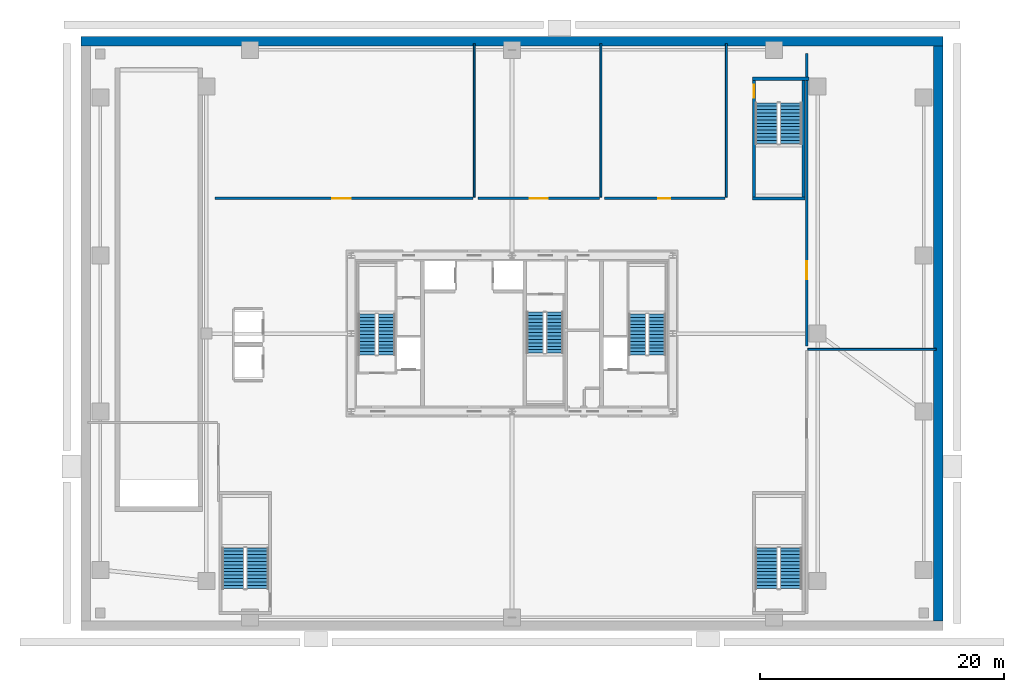
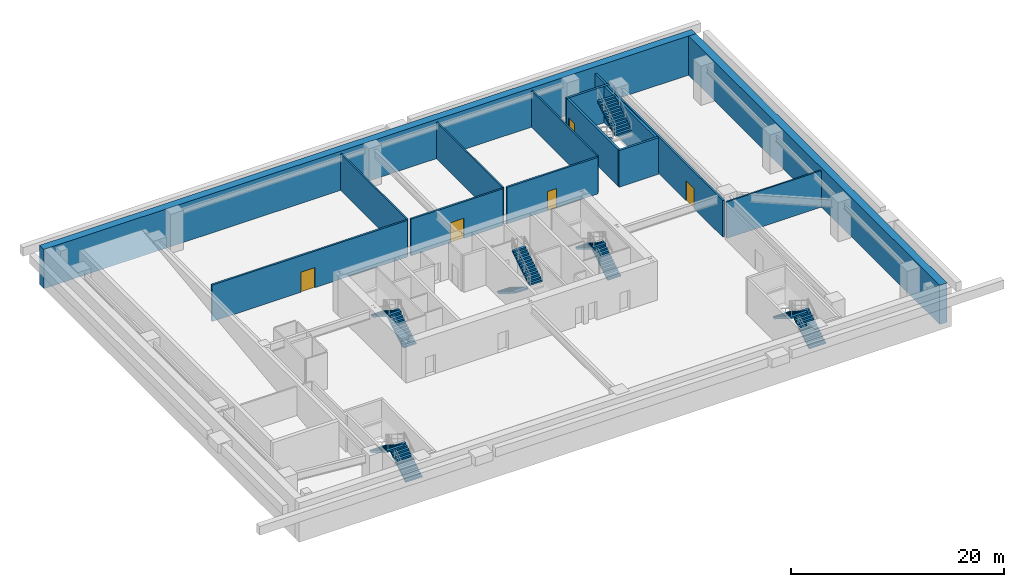
# One storey, part 6 of 9: 14 walls, 12 stair flights, 5 doors, 5 openings, 6 elements without a shape of their own.
"""IFC4 building model written with IfcOpenShell, lengths in metres."""

import ifcopenshell
import ifcopenshell.guid

model = None  # the IFC model being written
_history = None  # IfcOwnerHistory: only IFC2X3 demands one
_inside = {}  # id of a spatial element -> (the spatial element, [elements in it])
_under = {}  # id of a project, library or spatial element -> (it, [spatial elements below it])
_declared = {}  # id of a project -> (the project, [libraries it declares])
_typed = {}  # id of a type object -> (the type object, [elements of that type])
_made_of = {}  # id of a material, layer set ... -> (it, [elements and type objects made of it])


def new_model(schema):
    """Start an empty IFC model of exactly this schema.

    Asked for "IFC4X3", IfcOpenShell would pick the latest addendum, in which some entities
    have other attributes; the version numbers below select the first issue.
    IFC2X3 requires an IfcOwnerHistory on every rooted entity: one is made here for all.
    """
    global model, _history
    if schema == "IFC4X3":
        model = ifcopenshell.file(schema_version=(4, 3, 0, 0))
    else:
        model = ifcopenshell.file(schema=schema)
    _inside.clear()
    _under.clear()
    _declared.clear()
    _typed.clear()
    _made_of.clear()
    _history = None
    if model.schema == "IFC2X3":
        org = make("IfcOrganization", Name="unknown")
        user = make(
            "IfcPersonAndOrganization",
            ThePerson=make("IfcPerson", FamilyName="unknown"),
            TheOrganization=org,
        )
        app = make(
            "IfcApplication",
            ApplicationDeveloper=org,
            Version="unknown",
            ApplicationFullName="unknown",
            ApplicationIdentifier="unknown",
        )
        _history = make(
            "IfcOwnerHistory",
            OwningUser=user,
            OwningApplication=app,
            ChangeAction="ADDED",
            CreationDate=0,
        )
    return model


def make(cls, **values):
    """One entity of the class cls with the attributes given. An attribute that is None is left unset."""
    return model.create_entity(
        cls, **{name: value for name, value in values.items() if value is not None}
    )


def rooted(cls, **values):
    """An entity with a GlobalId (a new one), such as an element, a storey or a relation."""
    return make(cls, GlobalId=ifcopenshell.guid.new(), OwnerHistory=_history, **values)


def si_unit(unit_type, name, prefix=None):
    """IfcSIUnit, for example si_unit("LENGTHUNIT", "METRE", prefix="MILLI")."""
    return make("IfcSIUnit", UnitType=unit_type, Prefix=prefix, Name=name)


def assignment(units):
    """IfcUnitAssignment: the units of a project."""
    return None if units is None else make("IfcUnitAssignment", Units=units)


def point(xyz):
    """IfcCartesianPoint."""
    return None if xyz is None else make("IfcCartesianPoint", Coordinates=xyz)


def direction(xyz):
    """IfcDirection."""
    return None if xyz is None else make("IfcDirection", DirectionRatios=xyz)


def frame(location, z_axis=None, x_axis=None):
    """IfcAxis2Placement3D, a coordinate frame: its origin and axes. An axis left out is left unset."""
    return make(
        "IfcAxis2Placement3D",
        Location=point(location),
        Axis=direction(z_axis),
        RefDirection=direction(x_axis),
    )


def frame_2d(location, x_axis=None):
    """IfcAxis2Placement2D, a coordinate frame in the plane: its origin and x axis."""
    return make(
        "IfcAxis2Placement2D", Location=point(location), RefDirection=direction(x_axis)
    )


def origin():
    """The frame at (0, 0, 0) with its axes left unset."""
    return frame((0.0, 0.0, 0.0))


def place(relative_to, where):
    """IfcLocalPlacement: puts the frame where relative to a parent placement (None: the world)."""
    return make(
        "IfcLocalPlacement", PlacementRelTo=relative_to, RelativePlacement=where
    )


def context(
    kind, dimensions, precision=None, world=None, true_north=None, identifier=None
):
    """IfcGeometricRepresentationContext, for example the 3D "Model" context."""
    return make(
        "IfcGeometricRepresentationContext",
        ContextIdentifier=identifier,
        ContextType=kind,
        CoordinateSpaceDimension=dimensions,
        Precision=precision,
        WorldCoordinateSystem=world,
        TrueNorth=true_north,
    )


def subcontext(parent, identifier, kind, view, scale=None):
    """IfcGeometricRepresentationSubContext, for example "Body" below "Model"."""
    return make(
        "IfcGeometricRepresentationSubContext",
        ContextIdentifier=identifier,
        ContextType=kind,
        ParentContext=parent,
        TargetScale=scale,
        TargetView=view,
    )


def project(units=None, contexts=None):
    """IfcProject with its units and contexts."""
    return rooted(
        "IfcProject",
        Name="project",
        RepresentationContexts=contexts,
        UnitsInContext=assignment(units),
    )


def spatial(cls, under=None, at=None, **own):
    """A site, building, storey or space (cls), placed at a placement, below another one or the project."""
    s = rooted(cls, ObjectPlacement=at, **own)
    if under is not None:
        _under.setdefault(under.id(), (under, []))[1].append(s)
    return s


def polyline(points):
    """IfcPolyline through the points."""
    return make("IfcPolyline", Points=[point(p) for p in points])


def profile(cls, at=None, kind="AREA", **sizes):
    """A parametric profile (cls). Its sizes go by their IFC names, for example OverallWidth=200.0."""
    return make(cls, ProfileType=kind, Position=at, **sizes)


def rectangle(**sizes):
    """IfcRectangleProfileDef."""
    return profile("IfcRectangleProfileDef", **sizes)


def outline(outer, holes=None, kind="AREA"):
    """IfcArbitraryClosedProfileDef: a profile drawn as a closed curve; with holes, ...WithVoids."""
    if holes is None:
        return make("IfcArbitraryClosedProfileDef", ProfileType=kind, OuterCurve=outer)
    return make(
        "IfcArbitraryProfileDefWithVoids",
        ProfileType=kind,
        OuterCurve=outer,
        InnerCurves=holes,
    )


def extrude(swept, where, along, depth):
    """IfcExtrudedAreaSolid: the profile swept, set in the frame where, extruded along a direction by depth."""
    return make(
        "IfcExtrudedAreaSolid",
        SweptArea=swept,
        Position=where,
        ExtrudedDirection=direction(along),
        Depth=depth,
    )


def shape(context_of_items, identifier, shape_type, items):
    """IfcShapeRepresentation: the items that make up one representation, for example the "Body"."""
    return make(
        "IfcShapeRepresentation",
        ContextOfItems=context_of_items,
        RepresentationIdentifier=identifier,
        RepresentationType=shape_type,
        Items=items,
    )


def source(mapping_origin, context_of_items, identifier, shape_type, items):
    """IfcRepresentationMap: a shape defined once, which mapped items show again and again."""
    return make(
        "IfcRepresentationMap",
        MappingOrigin=mapping_origin,
        MappedRepresentation=shape(context_of_items, identifier, shape_type, items),
    )


def transform(
    local_origin,
    x_axis=None,
    y_axis=None,
    z_axis=None,
    scale=None,
    scale2=None,
    scale3=None,
    uniform=True,
):
    """IfcCartesianTransformationOperator3D, or its non-uniform kind. x_axis, y_axis, z_axis: its Axis1, 2, 3."""
    if uniform:
        return make(
            "IfcCartesianTransformationOperator3D",
            Axis1=direction(x_axis),
            Axis2=direction(y_axis),
            LocalOrigin=point(local_origin),
            Scale=scale,
            Axis3=direction(z_axis),
        )
    return make(
        "IfcCartesianTransformationOperator3DnonUniform",
        Axis1=direction(x_axis),
        Axis2=direction(y_axis),
        LocalOrigin=point(local_origin),
        Scale=scale,
        Axis3=direction(z_axis),
        Scale2=scale2,
        Scale3=scale3,
    )


def mapped(mapping_source, mapping_target):
    """IfcMappedItem: shows the shape of a source again, moved by a transform."""
    return make(
        "IfcMappedItem", MappingSource=mapping_source, MappingTarget=mapping_target
    )


def material(Name=None, Category=None):
    """IfcMaterial."""
    return make("IfcMaterial", Name=Name, Category=Category)


def layer(
    of_material, thickness, ventilated=None, Name=None, Category=None, Priority=None
):
    """IfcMaterialLayer: one layer of a wall or slab, of a material (None: an air gap)."""
    return make(
        "IfcMaterialLayer",
        Material=of_material,
        LayerThickness=thickness,
        IsVentilated=ventilated,
        Name=Name,
        Category=Category,
        Priority=Priority,
    )


def layer_set(layers, Name=None):
    """IfcMaterialLayerSet."""
    return make("IfcMaterialLayerSet", MaterialLayers=layers, LayerSetName=Name)


def made_of(thing, what):
    """Note that an element or type object is made of a material, layer set ...; save() writes the relation."""
    if what is not None:
        _made_of.setdefault(what.id(), (what, []))[1].append(thing)
    return thing


def type_object(cls, material=None, **own):
    """A type object (cls), such as IfcWallType, which elements share."""
    return made_of(rooted(cls, **own), material)


def element(
    cls,
    number,
    at=None,
    inside=None,
    cuts=None,
    type_object=None,
    material=None,
    context=None,
    identifier="Body",
    shape_type=None,
    held_by="IfcProductDefinitionShape",
    body=None,
    shapes=None,
    **own,
):
    """One element of the class cls, such as IfcWall. Its Tag is "e" and its number.

    at: its placement. inside: the storey or other place that contains it. cuts: it is an
    opening in that element (IfcRelVoidsElement). A single representation is given by context,
    identifier, shape_type and body (its items); several are given by shapes. held_by: the class
    of the entity that holds the representations. save() writes the other relations.
    """
    e = rooted(cls, Tag="e%d" % number, ObjectPlacement=at, **own)
    if body is not None:
        shapes = [shape(context, identifier, shape_type, body)]
    if shapes is not None:
        e.Representation = make(held_by, Representations=shapes)
    if inside is not None:
        _inside.setdefault(inside.id(), (inside, []))[1].append(e)
    if cuts is not None:
        rooted(
            "IfcRelVoidsElement", RelatingBuildingElement=cuts, RelatedOpeningElement=e
        )
    if type_object is not None:
        _typed.setdefault(type_object.id(), (type_object, []))[1].append(e)
    return made_of(e, material)


def fill(opening, filler):
    """IfcRelFillsElement: the door or window that sits in an opening."""
    return rooted(
        "IfcRelFillsElement",
        RelatingOpeningElement=opening,
        RelatedBuildingElement=filler,
    )


def aggregate(whole, parts):
    """IfcRelAggregates: a whole, such as a stair, and the parts it consists of."""
    return rooted("IfcRelAggregates", RelatingObject=whole, RelatedObjects=parts)


def save(model, path):
    """Write the relations noted so far, then the file.

    IfcRelAggregates (storeys below a building ...), IfcRelContainedInSpatialStructure (elements
    in a storey), IfcRelDefinesByType, IfcRelAssociatesMaterial and IfcRelDeclares: one each for
    every whole, place, type object, material and project.
    """
    for whole, parts in _under.values():
        aggregate(whole, parts)
    for where, things in _inside.values():
        rooted(
            "IfcRelContainedInSpatialStructure",
            RelatedElements=things,
            RelatingStructure=where,
        )
    for kind, things in _typed.values():
        rooted("IfcRelDefinesByType", RelatedObjects=things, RelatingType=kind)
    for what, things in _made_of.values():
        rooted("IfcRelAssociatesMaterial", RelatedObjects=things, RelatingMaterial=what)
    for by, libraries in _declared.values():
        rooted("IfcRelDeclares", RelatingContext=by, RelatedDefinitions=libraries)
    model.write(path)


model = new_model("IFC4")

# Units and contexts
model_context = context("Model", 3, precision=1e-05, world=origin(), true_north=direction((0.0, 1.0)))
body_context = subcontext(model_context, "Body", "Model", "MODEL_VIEW")
ifc_project = project(units=[si_unit("LENGTHUNIT", "METRE"), si_unit("AREAUNIT", "SQUARE_METRE"), si_unit("VOLUMEUNIT", "CUBIC_METRE"), si_unit("PLANEANGLEUNIT", "RADIAN"), si_unit("MASSUNIT", "GRAM", prefix="KILO"), si_unit("THERMODYNAMICTEMPERATUREUNIT", "KELVIN"), si_unit("POWERUNIT", "WATT")], contexts=[model_context])

# Site, building, storey
site_placement = place(None, origin())
site = spatial("IfcSite", under=ifc_project, at=site_placement, CompositionType="ELEMENT")
building_placement = place(site_placement, origin())
building = spatial("IfcBuilding", under=site, at=building_placement, Name="Yuzanri Waterfront Tower", CompositionType="ELEMENT")
storey_placement = place(building_placement, frame((0.0, 0.0, -4.5)))
storey = spatial("IfcBuildingStorey", under=building, at=storey_placement, Name="B01", CompositionType="ELEMENT", Elevation=-4.5)

# Wall, opening, door
ifc_material_1 = material(Name="Autoclaved Aerated Concrete Blockwork", Category="masonry")
ifc_layer_1 = layer(ifc_material_1, 0.199951171875)
ifc_layer_set_1 = layer_set([ifc_layer_1], Name="Autoclaved Aerated Concrete Blockwork")
wall_type_1 = type_object("IfcWallType", Name="Corridor and Unit Party Fire Wall 200", PredefinedType="PARTITIONING", material=ifc_layer_set_1)
wall_1_placement = place(storey_placement, frame((12.60009765625, 36.89990234375, 0.0), z_axis=(0.0, 0.0, 1.0), x_axis=(1.0, 0.0, 0.0)))
wall_1 = element("IfcWall", 1, at=wall_1_placement, inside=storey, type_object=wall_type_1, Name="B01 Partition PRW-B01-028-S", PredefinedType="PARTITIONING", context=body_context, shape_type="SweptSolid", body=[
    extrude(rectangle(XDim=21.199951171875, YDim=0.199951171875, at=frame_2d((10.60009765625, 0.0))), origin(), (0.0, 0.0, 1.0), 4.199951171875),
])
opening_1_placement = place(wall_1_placement, frame((9.64990234375, 0.0, 0.0)))
opening_1 = element("IfcOpeningElement", 2, at=opening_1_placement, cuts=wall_1, Name="Opening FD-1500", PredefinedType="OPENING", context=body_context, shape_type="SweptSolid", body=[
    extrude(rectangle(XDim=1.5, YDim=2.300048828125, at=frame_2d((0.75, 1.14990234375))), frame((0.0, 0.11474609375, 0.0), z_axis=(0.0, -1.0, 0.0), x_axis=(1.0, 0.0, 0.0)), (0.0, 0.0, 1.0), 0.229736328125),
])
ifc_material_2 = material(Name="Painted Galvanized Fire Steel", Category="steel")
door_type_1 = type_object("IfcDoorType", Name="Plant and Ballroom Double Fire Door 1500x2300", OperationType="NOTDEFINED", PredefinedType="DOOR", material=ifc_material_2)
shared_shape_1 = source(origin(), body_context, "Body", "SweptSolid", [
    extrude(rectangle(XDim=1.5, YDim=2.300048828125, at=frame_2d((0.75, 1.14990234375))), frame((0.0, 0.02490234375, 0.0), z_axis=(0.0, -1.0, 0.0), x_axis=(1.0, 0.0, 0.0)), (0.0, 0.0, 1.0), 0.050048828125),
])
door_1_placement = place(opening_1_placement, origin())
door_1 = element("IfcDoor", 3, at=door_1_placement, inside=storey, type_object=door_type_1, Name="B01 Loading Dock and Logistics Bay", OperationType="DOUBLE_DOOR_SINGLE_SWING", OverallHeight=2.300048828125, OverallWidth=1.5, PredefinedType="DOOR", context=body_context, shape_type="MappedRepresentation", body=[
    mapped(shared_shape_1, transform((0.0, 0.0, 0.0), scale=1.0)),
])
fill(opening_1, door_1)

wall_2_placement = place(storey_placement, frame((34.199951171875, 36.89990234375, 0.0), z_axis=(0.0, 0.0, 1.0), x_axis=(1.0, 0.0, 0.0)))
wall_2 = element("IfcWall", 4, at=wall_2_placement, inside=storey, type_object=wall_type_1, Name="B01 Partition PRW-B01-029-S", PredefinedType="PARTITIONING", context=body_context, shape_type="SweptSolid", body=[
    extrude(rectangle(XDim=10.0, YDim=0.199951171875, at=frame_2d((5.0, 0.0))), origin(), (0.0, 0.0, 1.0), 4.199951171875),
])
opening_2_placement = place(wall_2_placement, frame((4.25, 0.0, 0.0)))
opening_2 = element("IfcOpeningElement", 5, at=opening_2_placement, cuts=wall_2, Name="Opening FD-1500", PredefinedType="OPENING", context=body_context, shape_type="SweptSolid", body=[
    extrude(rectangle(XDim=1.5, YDim=2.300048828125, at=frame_2d((0.75, 1.14990234375))), frame((0.0, 0.11474609375, 0.0), z_axis=(0.0, -1.0, 0.0), x_axis=(1.0, 0.0, 0.0)), (0.0, 0.0, 1.0), 0.229736328125),
])
door_2_placement = place(opening_2_placement, origin())
door_2 = element("IfcDoor", 6, at=door_2_placement, inside=storey, type_object=door_type_1, Name="B01 Refuse and Recycling Room", OperationType="DOUBLE_DOOR_SINGLE_SWING", OverallHeight=2.300048828125, OverallWidth=1.5, PredefinedType="DOOR", context=body_context, shape_type="MappedRepresentation", body=[
    mapped(shared_shape_1, transform((0.0, 0.0, 0.0), scale=1.0)),
])
fill(opening_2, door_2)

wall_3_placement = place(storey_placement, frame((44.60009765625, 36.89990234375, 0.0), z_axis=(0.0, 0.0, 1.0), x_axis=(1.0, 0.0, 0.0)))
wall_3 = element("IfcWall", 7, at=wall_3_placement, inside=storey, type_object=wall_type_1, Name="B01 Partition PRW-B01-030-S", PredefinedType="PARTITIONING", context=body_context, shape_type="SweptSolid", body=[
    extrude(rectangle(XDim=9.89990234375, YDim=0.199951171875, at=frame_2d((4.949951171875, 0.0))), origin(), (0.0, 0.0, 1.0), 4.199951171875),
])
opening_3_placement = place(wall_3_placement, frame((4.39990234375, 0.0, 0.0)))
opening_3 = element("IfcOpeningElement", 8, at=opening_3_placement, cuts=wall_3, Name="Opening FD-1000", PredefinedType="OPENING", context=body_context, shape_type="SweptSolid", body=[
    extrude(rectangle(XDim=1.0, YDim=2.199951171875, at=frame_2d((0.5, 1.10009765625))), frame((0.0, 0.11474609375, 0.0), z_axis=(0.0, -1.0, 0.0), x_axis=(1.0, 0.0, 0.0)), (0.0, 0.0, 1.0), 0.229736328125),
])
ifc_material_3 = material(Name="Engineered Oak Fire-Rated Timber", Category="wood")
door_type_2 = type_object("IfcDoorType", Name="Guestroom and Apartment Entrance Fire Door 1000x2200", OperationType="NOTDEFINED", PredefinedType="DOOR", material=ifc_material_3)
shared_shape_2 = source(origin(), body_context, "Body", "SweptSolid", [
    extrude(rectangle(XDim=1.0, YDim=2.199951171875, at=frame_2d((0.5, 1.10009765625))), frame((0.0, 0.02490234375, 0.0), z_axis=(0.0, -1.0, 0.0), x_axis=(1.0, 0.0, 0.0)), (0.0, 0.0, 1.0), 0.050048828125),
])
door_3_placement = place(opening_3_placement, origin())
door_3 = element("IfcDoor", 9, at=door_3_placement, inside=storey, type_object=door_type_2, Name="B01 Bicycle Storage and Locker Room", OperationType="SINGLE_SWING_RIGHT", OverallHeight=2.199951171875, OverallWidth=1.0, PredefinedType="DOOR", context=body_context, shape_type="MappedRepresentation", body=[
    mapped(shared_shape_2, transform((0.0, 0.0, 0.0), scale=1.0)),
])
fill(opening_3, door_3)

wall_4_placement = place(storey_placement, frame((61.199951171875, 24.800048828125, 0.0), z_axis=(0.0, 0.0, 1.0), x_axis=(0.0, 1.0, 0.0)))
wall_4 = element("IfcWall", 10, at=wall_4_placement, inside=storey, type_object=wall_type_1, Name="B01 Partition PRW-B01-032-W", PredefinedType="PARTITIONING", context=body_context, shape_type="SweptSolid", body=[
    extrude(rectangle(XDim=24.0, YDim=0.199951171875, at=frame_2d((12.0, 0.0))), origin(), (0.0, 0.0, 1.0), 4.199951171875),
])
opening_4_placement = place(wall_4_placement, frame((5.449951171875, 0.0, 0.0)))
opening_4 = element("IfcOpeningElement", 11, at=opening_4_placement, cuts=wall_4, Name="Opening FD-1500", PredefinedType="OPENING", context=body_context, shape_type="SweptSolid", body=[
    extrude(rectangle(XDim=1.5, YDim=2.300048828125, at=frame_2d((0.75, 1.14990234375))), frame((0.0, 0.11474609375, 0.0), z_axis=(0.0, -1.0, 0.0), x_axis=(1.0, 0.0, 0.0)), (0.0, 0.0, 1.0), 0.229736328125),
])
door_4_placement = place(opening_4_placement, origin())
door_4 = element("IfcDoor", 12, at=door_4_placement, inside=storey, type_object=door_type_1, Name="B01 Emergency Diesel Generator Room", OperationType="DOUBLE_DOOR_SINGLE_SWING", OverallHeight=2.300048828125, OverallWidth=1.5, PredefinedType="DOOR", context=body_context, shape_type="MappedRepresentation", body=[
    mapped(shared_shape_1, transform((0.0, 0.0, 0.0), scale=1.0)),
])
fill(opening_4, door_4)

ifc_material_4 = material(Name="Concrete C40", Category="concrete")
ifc_layer_2 = layer(ifc_material_4, 0.25)
ifc_layer_set_2 = layer_set([ifc_layer_2], Name="Concrete C40")
wall_type_2 = type_object("IfcWallType", Name="Smoke-Proof Stair and Lift Shaft Wall 250", PredefinedType="SOLIDWALL", material=ifc_layer_set_2)
wall_5_placement = place(storey_placement, frame((56.875, 37.0, 0.0), z_axis=(0.0, 0.0, 1.0), x_axis=(0.0, 1.0, 0.0)))
wall_5 = element("IfcWall", 13, at=wall_5_placement, inside=storey, type_object=wall_type_2, Name="B01 Shaft Wall PSTW-B01-PST-03-W", PredefinedType="SOLIDWALL", context=body_context, shape_type="SweptSolid", body=[
    extrude(rectangle(XDim=9.60009765625, YDim=0.25, at=frame_2d((4.800048828125, 0.0))), origin(), (0.0, 0.0, 1.0), 4.199951171875),
])
opening_5_placement = place(wall_5_placement, frame((8.14990234375, 0.0, 0.0)))
opening_5 = element("IfcOpeningElement", 14, at=opening_5_placement, cuts=wall_5, Name="Opening FD-1100", PredefinedType="OPENING", context=body_context, shape_type="SweptSolid", body=[
    extrude(rectangle(XDim=1.10009765625, YDim=2.199951171875, at=frame_2d((0.550048828125, 1.10009765625))), frame((0.0, 0.139892578125, 0.0), z_axis=(0.0, -1.0, 0.0), x_axis=(1.0, 0.0, 0.0)), (0.0, 0.0, 1.0), 0.27978515625),
])
ifc_material_5 = material(Name="Painted Galvanized Fire Steel", Category="steel")
door_type_3 = type_object("IfcDoorType", Name="Smoke-Proof Stair and Lobby Fire Door 1100x2200", OperationType="NOTDEFINED", PredefinedType="DOOR", material=ifc_material_5)
shared_shape_3 = source(origin(), body_context, "Body", "SweptSolid", [
    extrude(rectangle(XDim=1.10009765625, YDim=2.199951171875, at=frame_2d((0.550048828125, 1.10009765625))), frame((0.0, 0.02490234375, 0.0), z_axis=(0.0, -1.0, 0.0), x_axis=(1.0, 0.0, 0.0)), (0.0, 0.0, 1.0), 0.050048828125),
])
door_5_placement = place(opening_5_placement, origin())
door_5 = element("IfcDoor", 15, at=door_5_placement, inside=storey, type_object=door_type_3, Name="B01 PST-03 Stair Door", OperationType="SINGLE_SWING_LEFT", OverallHeight=2.199951171875, OverallWidth=1.10009765625, PredefinedType="DOOR", context=body_context, shape_type="MappedRepresentation", body=[
    mapped(shared_shape_3, transform((0.0, 0.0, 0.0), scale=1.0)),
])
fill(opening_5, door_5)

# Walls
ifc_material_6 = material(Name="Concrete C50", Category="concrete")
ifc_layer_3 = layer(ifc_material_6, 0.800048828125)
ifc_layer_set_3 = layer_set([ifc_layer_3], Name="Concrete C50")
wall_type_3 = type_object("IfcWallType", Name="Concrete C50 Basement Perimeter Waterproof Retaining Wall 800", PredefinedType="USERDEFINED", material=ifc_layer_set_3)
shared_shape_4 = source(origin(), body_context, "Body", "SweptSolid", [
    extrude(rectangle(XDim=70.7998046875, YDim=0.800048828125, at=frame_2d((35.39990234375, 0.0))), origin(), (0.0, 0.0, 1.0), 4.5),
])
wall_6_placement = place(storey_placement, frame((1.60009765625, 49.800048828125, 0.0), z_axis=(0.0, 0.0, 1.0), x_axis=(1.0, 0.0, 0.0)))
element("IfcWall", 16, at=wall_6_placement, inside=storey, type_object=wall_type_3, Name="B01 North Retaining Wall", ObjectType="RETAININGWALL", PredefinedType="USERDEFINED", context=body_context, shape_type="MappedRepresentation", body=[
    mapped(shared_shape_4, transform((0.0, 0.0, 0.0), scale=1.0)),
])
shared_shape_5 = source(origin(), body_context, "Body", "SweptSolid", [
    extrude(rectangle(XDim=47.199951171875, YDim=0.800048828125, at=frame_2d((23.60009765625, 0.0))), origin(), (0.0, 0.0, 1.0), 4.5),
])
wall_7_placement = place(storey_placement, frame((72.0, 2.199951171875, 0.0), z_axis=(0.0, 0.0, 1.0), x_axis=(0.0, 1.0, 0.0)))
element("IfcWall", 17, at=wall_7_placement, inside=storey, type_object=wall_type_3, Name="B01 East Retaining Wall", ObjectType="RETAININGWALL", PredefinedType="USERDEFINED", context=body_context, shape_type="MappedRepresentation", body=[
    mapped(shared_shape_5, transform((0.0, 0.0, 0.0), scale=1.0)),
])
shared_shape_6 = source(origin(), body_context, "Body", "SweptSolid", [
    extrude(rectangle(XDim=4.300048828125, YDim=0.25, at=frame_2d((2.14990234375, 0.0))), origin(), (0.0, 0.0, 1.0), 4.199951171875),
])
wall_8_placement = place(storey_placement, frame((56.75, 36.875, 0.0), z_axis=(0.0, 0.0, 1.0), x_axis=(1.0, 0.0, 0.0)))
element("IfcWall", 18, at=wall_8_placement, inside=storey, type_object=wall_type_2, Name="B01 PST-03 South Wall", PredefinedType="SOLIDWALL", context=body_context, shape_type="MappedRepresentation", body=[
    mapped(shared_shape_6, transform((0.0, 0.0, 0.0), scale=1.0)),
])
shared_shape_7 = source(origin(), body_context, "Body", "SweptSolid", [
    extrude(rectangle(XDim=9.60009765625, YDim=0.25, at=frame_2d((4.800048828125, 0.0))), origin(), (0.0, 0.0, 1.0), 4.199951171875),
])
wall_9_placement = place(storey_placement, frame((60.925048828125, 37.0, 0.0), z_axis=(0.0, 0.0, 1.0), x_axis=(0.0, 1.0, 0.0)))
element("IfcWall", 19, at=wall_9_placement, inside=storey, type_object=wall_type_2, Name="B01 Shaft Wall PSTW-B01-PST-03-E", PredefinedType="SOLIDWALL", context=body_context, shape_type="MappedRepresentation", body=[
    mapped(shared_shape_7, transform((0.0, 0.0, 0.0), scale=1.0)),
])
shared_shape_8 = source(origin(), body_context, "Body", "SweptSolid", [
    extrude(rectangle(XDim=4.64990234375, YDim=0.25, at=frame_2d((2.324951171875, 0.0))), origin(), (0.0, 0.0, 1.0), 4.199951171875),
])
wall_10_placement = place(storey_placement, frame((56.75, 46.72509765625, 0.0), z_axis=(0.0, 0.0, 1.0), x_axis=(1.0, 0.0, 0.0)))
element("IfcWall", 20, at=wall_10_placement, inside=storey, type_object=wall_type_2, Name="B01 PST-03 North Wall", PredefinedType="SOLIDWALL", context=body_context, shape_type="MappedRepresentation", body=[
    mapped(shared_shape_8, transform((0.0, 0.0, 0.0), scale=1.0)),
])
ifc_material_7 = material(Name="Gypsum Fireboard Acoustic Stud Wall", Category="gypsum")
ifc_layer_4 = layer(ifc_material_7, 0.159912109375)
ifc_layer_set_4 = layer_set([ifc_layer_4], Name="Gypsum Fireboard Acoustic Stud Wall")
wall_type_4 = type_object("IfcWallType", Name="Acoustic Suite Demising Partition 160", PredefinedType="PARTITIONING", material=ifc_layer_set_4)
shared_shape_9 = source(origin(), body_context, "Body", "SweptSolid", [
    extrude(rectangle(XDim=10.52001953125, YDim=0.159912109375, at=frame_2d((5.260009765625, 0.0))), origin(), (0.0, 0.0, 1.0), 4.199951171875),
])
wall_11_placement = place(storey_placement, frame((61.300048828125, 24.5, 0.0), z_axis=(0.0, 0.0, 1.0), x_axis=(1.0, 0.0, 0.0)))
element("IfcWall", 21, at=wall_11_placement, inside=storey, type_object=wall_type_4, Name="B01-031 North Partition", PredefinedType="PARTITIONING", context=body_context, shape_type="MappedRepresentation", body=[
    mapped(shared_shape_9, transform((0.0, 0.0, 0.0), scale=1.0)),
])
shared_shape_10 = source(origin(), body_context, "Body", "SweptSolid", [
    extrude(rectangle(XDim=12.6201171875, YDim=0.159912109375, at=frame_2d((6.31005859375, 0.0))), origin(), (0.0, 0.0, 1.0), 4.199951171875),
])
for number, where, z_axis, x_axis, name in (
    (22, (33.89990234375, 37.0, 0.0), (0.0, 0.0, 1.0), (0.0, 1.0, 0.0), "B01-028 Demising Wall"),
    (23, (44.300048828125, 37.0, 0.0), (0.0, 0.0, 1.0), (0.0, 1.0, 0.0), "B01-029 Demising Wall"),
    (24, (54.60009765625, 37.0, 0.0), (0.0, 0.0, 1.0), (0.0, 1.0, 0.0), "B01-030 Demising Wall"),
):
    element("IfcWall", number, at=place(storey_placement, frame(where, z_axis=z_axis, x_axis=x_axis)), inside=storey, type_object=wall_type_4, Name=name, PredefinedType="PARTITIONING", context=body_context, shape_type="MappedRepresentation", body=[
        mapped(shared_shape_10, transform((0.0, 0.0, 0.0), scale=1.0)),
    ])

# Stair, stair flights
ifc_material_8 = material(Name="Concrete C40", Category="concrete")
stair_type_1 = type_object("IfcStairType", Name="Concrete C40 Core Dogleg Exit Stair", PredefinedType="HALF_TURN_STAIR", material=ifc_material_8)
stair_1_placement = place(storey_placement, origin())
stair_1 = element("IfcStair", 25, at=stair_1_placement, inside=storey, type_object=stair_type_1, Name="B01 Smoke-Proof Core Stair ST-01", PredefinedType="HALF_TURN_STAIR")
ifc_material_9 = material(Name="Concrete C40", Category="concrete")
stair_flight_type_1 = type_object("IfcStairFlightType", Name="Concrete C40 Tall-Storey Precast Stair Flight 1380", PredefinedType="STRAIGHT", material=ifc_material_9)
shared_shape_11 = source(origin(), body_context, "Body", "SweptSolid", [
    extrude(outline(polyline([(0.0, 0.0), (0.0, 0.173095703125), (0.280029296875, 0.173095703125), (0.280029296875, 0.34619140625), (0.56005859375, 0.34619140625), (0.56005859375, 0.519287109375), (0.840087890625, 0.519287109375), (0.840087890625, 0.6923828125), (1.1201171875, 0.6923828125), (1.1201171875, 0.865478515625), (1.39990234375, 0.865478515625), (1.39990234375, 1.03857421875), (1.679931640625, 1.03857421875), (1.679931640625, 1.21142578125), (1.9599609375, 1.21142578125), (1.9599609375, 1.384521484375), (2.239990234375, 1.384521484375), (2.239990234375, 1.5576171875), (2.52001953125, 1.5576171875), (2.52001953125, 1.730712890625), (2.800048828125, 1.730712890625), (2.800048828125, 1.90380859375), (3.080078125, 1.90380859375), (3.080078125, 2.076904296875), (3.360107421875, 2.076904296875), (3.360107421875, 2.25), (3.360107421875, 1.900634765625), (0.28515625, 0.0), (0.0, 0.0)])), frame((0.0, 0.699951171875, 0.0), z_axis=(0.0, -1.0, 0.0), x_axis=(1.0, 0.0, 0.0)), (0.0, 0.0, 1.0), 1.39990234375),
])
stair_flight_1_placement = place(storey_placement, frame((26.699951171875, 24.0400390625, 0.0), z_axis=(0.0, 0.0, 1.0), x_axis=(0.0, 1.0, 0.0)))
stair_flight_1 = element("IfcStairFlight", 26, at=stair_flight_1_placement, type_object=stair_flight_type_1, Name="ST-01 flight 1", NumberOfRisers=13, NumberOfTreads=12, PredefinedType="STRAIGHT", RiserHeight=0.173076923, TreadLength=0.28, context=body_context, shape_type="MappedRepresentation", body=[
    mapped(shared_shape_11, transform((0.0, 0.0, 0.0), scale=1.0)),
])
stair_flight_2_placement = place(storey_placement, frame((25.10009765625, 27.39990234375, 2.25), z_axis=(0.0, 0.0, 1.0), x_axis=(0.0, -1.0, 0.0)))
stair_flight_2 = element("IfcStairFlight", 27, at=stair_flight_2_placement, type_object=stair_flight_type_1, Name="ST-01 flight 2", NumberOfRisers=13, NumberOfTreads=12, PredefinedType="STRAIGHT", RiserHeight=0.173076923, TreadLength=0.28, context=body_context, shape_type="MappedRepresentation", body=[
    mapped(shared_shape_11, transform((0.0, 0.0, 0.0), scale=1.0)),
])
aggregate(stair_1, [stair_flight_1, stair_flight_2])

stair_2_placement = place(storey_placement, origin())
stair_2 = element("IfcStair", 28, at=stair_2_placement, inside=storey, type_object=stair_type_1, Name="B01 Smoke-Proof Core Stair ST-02", PredefinedType="HALF_TURN_STAIR")
stair_flight_3_placement = place(storey_placement, frame((48.89990234375, 24.0400390625, 0.0), z_axis=(0.0, 0.0, 1.0), x_axis=(0.0, 1.0, 0.0)))
stair_flight_3 = element("IfcStairFlight", 29, at=stair_flight_3_placement, type_object=stair_flight_type_1, Name="ST-02 flight 1", NumberOfRisers=13, NumberOfTreads=12, PredefinedType="STRAIGHT", RiserHeight=0.173076923, TreadLength=0.28, context=body_context, shape_type="MappedRepresentation", body=[
    mapped(shared_shape_11, transform((0.0, 0.0, 0.0), scale=1.0)),
])
stair_flight_4_placement = place(storey_placement, frame((47.300048828125, 27.39990234375, 2.25), z_axis=(0.0, 0.0, 1.0), x_axis=(0.0, -1.0, 0.0)))
stair_flight_4 = element("IfcStairFlight", 30, at=stair_flight_4_placement, type_object=stair_flight_type_1, Name="ST-02 flight 2", NumberOfRisers=13, NumberOfTreads=12, PredefinedType="STRAIGHT", RiserHeight=0.173076923, TreadLength=0.28, context=body_context, shape_type="MappedRepresentation", body=[
    mapped(shared_shape_11, transform((0.0, 0.0, 0.0), scale=1.0)),
])
aggregate(stair_2, [stair_flight_3, stair_flight_4])

stair_3_placement = place(storey_placement, origin())
stair_3 = element("IfcStair", 31, at=stair_3_placement, inside=storey, type_object=stair_type_1, Name="B01 Smoke-Proof Core Stair ST-03", PredefinedType="HALF_TURN_STAIR")
stair_flight_5_placement = place(storey_placement, frame((38.89990234375, 27.56005859375, 0.0), z_axis=(0.0, 0.0, 1.0), x_axis=(0.0, -1.0, 0.0)))
stair_flight_5 = element("IfcStairFlight", 32, at=stair_flight_5_placement, type_object=stair_flight_type_1, Name="ST-03 flight 1", NumberOfRisers=13, NumberOfTreads=12, PredefinedType="STRAIGHT", RiserHeight=0.173076923, TreadLength=0.28, context=body_context, shape_type="MappedRepresentation", body=[
    mapped(shared_shape_11, transform((0.0, 0.0, 0.0), scale=1.0)),
])
stair_flight_6_placement = place(storey_placement, frame((40.5, 24.199951171875, 2.25), z_axis=(0.0, 0.0, 1.0), x_axis=(0.0, 1.0, 0.0)))
stair_flight_6 = element("IfcStairFlight", 33, at=stair_flight_6_placement, type_object=stair_flight_type_1, Name="ST-03 flight 2", NumberOfRisers=13, NumberOfTreads=12, PredefinedType="STRAIGHT", RiserHeight=0.173076923, TreadLength=0.28, context=body_context, shape_type="MappedRepresentation", body=[
    mapped(shared_shape_11, transform((0.0, 0.0, 0.0), scale=1.0)),
])
aggregate(stair_3, [stair_flight_5, stair_flight_6])

ifc_material_10 = material(Name="Concrete C40", Category="concrete")
stair_type_2 = type_object("IfcStairType", Name="Concrete C40 Podium Dogleg Exit Stair", PredefinedType="HALF_TURN_STAIR", material=ifc_material_10)
stair_4_placement = place(storey_placement, origin())
stair_4 = element("IfcStair", 34, at=stair_4_placement, inside=storey, type_object=stair_type_2, Name="B01 Podium Public Exit Stair PST-01", PredefinedType="HALF_TURN_STAIR")
ifc_material_11 = material(Name="Concrete C40", Category="concrete")
stair_flight_type_2 = type_object("IfcStairFlightType", Name="Concrete C40 Precast Podium Stair Flight 1400", PredefinedType="STRAIGHT", material=ifc_material_11)
shared_shape_12 = source(origin(), body_context, "Body", "SweptSolid", [
    extrude(outline(polyline([(0.0, 0.0), (0.0, 0.173095703125), (0.280029296875, 0.173095703125), (0.280029296875, 0.34619140625), (0.56005859375, 0.34619140625), (0.56005859375, 0.519287109375), (0.840087890625, 0.519287109375), (0.840087890625, 0.6923828125), (1.1201171875, 0.6923828125), (1.1201171875, 0.865478515625), (1.39990234375, 0.865478515625), (1.39990234375, 1.03857421875), (1.679931640625, 1.03857421875), (1.679931640625, 1.21142578125), (1.9599609375, 1.21142578125), (1.9599609375, 1.384521484375), (2.239990234375, 1.384521484375), (2.239990234375, 1.5576171875), (2.52001953125, 1.5576171875), (2.52001953125, 1.730712890625), (2.800048828125, 1.730712890625), (2.800048828125, 1.90380859375), (3.080078125, 1.90380859375), (3.080078125, 2.076904296875), (3.360107421875, 2.076904296875), (3.360107421875, 2.25), (3.360107421875, 1.900634765625), (0.28515625, 0.0), (0.0, 0.0)])), frame((0.0, 0.89990234375, 0.0), z_axis=(0.0, -1.0, 0.0), x_axis=(1.0, 0.0, 0.0)), (0.0, 0.0, 1.0), 1.800048828125),
])
stair_flight_7_placement = place(storey_placement, frame((16.10009765625, 4.85009765625, 0.0), z_axis=(0.0, 0.0, 1.0), x_axis=(0.0, 1.0, 0.0)))
stair_flight_7 = element("IfcStairFlight", 35, at=stair_flight_7_placement, type_object=stair_flight_type_2, Name="PST-01 flight 1", NumberOfRisers=13, NumberOfTreads=12, PredefinedType="STRAIGHT", RiserHeight=0.173076923, TreadLength=0.28, context=body_context, shape_type="MappedRepresentation", body=[
    mapped(shared_shape_12, transform((0.0, 0.0, 0.0), scale=1.0)),
])
stair_flight_8_placement = place(storey_placement, frame((14.10009765625, 8.2099609375, 2.25), z_axis=(0.0, 0.0, 1.0), x_axis=(0.0, -1.0, 0.0)))
stair_flight_8 = element("IfcStairFlight", 36, at=stair_flight_8_placement, type_object=stair_flight_type_2, Name="PST-01 flight 2", NumberOfRisers=13, NumberOfTreads=12, PredefinedType="STRAIGHT", RiserHeight=0.173076923, TreadLength=0.28, context=body_context, shape_type="MappedRepresentation", body=[
    mapped(shared_shape_12, transform((0.0, 0.0, 0.0), scale=1.0)),
])
aggregate(stair_4, [stair_flight_7, stair_flight_8])

stair_5_placement = place(storey_placement, origin())
stair_5 = element("IfcStair", 37, at=stair_5_placement, inside=storey, type_object=stair_type_2, Name="B01 Podium Public Exit Stair PST-02", PredefinedType="HALF_TURN_STAIR")
stair_flight_9_placement = place(storey_placement, frame((59.89990234375, 4.85009765625, 0.0), z_axis=(0.0, 0.0, 1.0), x_axis=(0.0, 1.0, 0.0)))
stair_flight_9 = element("IfcStairFlight", 38, at=stair_flight_9_placement, type_object=stair_flight_type_2, Name="PST-02 flight 1", NumberOfRisers=13, NumberOfTreads=12, PredefinedType="STRAIGHT", RiserHeight=0.173076923, TreadLength=0.28, context=body_context, shape_type="MappedRepresentation", body=[
    mapped(shared_shape_12, transform((0.0, 0.0, 0.0), scale=1.0)),
])
stair_flight_10_placement = place(storey_placement, frame((57.89990234375, 8.2099609375, 2.25), z_axis=(0.0, 0.0, 1.0), x_axis=(0.0, -1.0, 0.0)))
stair_flight_10 = element("IfcStairFlight", 39, at=stair_flight_10_placement, type_object=stair_flight_type_2, Name="PST-02 flight 2", NumberOfRisers=13, NumberOfTreads=12, PredefinedType="STRAIGHT", RiserHeight=0.173076923, TreadLength=0.28, context=body_context, shape_type="MappedRepresentation", body=[
    mapped(shared_shape_12, transform((0.0, 0.0, 0.0), scale=1.0)),
])
aggregate(stair_5, [stair_flight_9, stair_flight_10])

stair_6_placement = place(storey_placement, origin())
stair_6 = element("IfcStair", 40, at=stair_6_placement, inside=storey, type_object=stair_type_2, Name="B01 Podium Public Exit Stair PST-03", PredefinedType="HALF_TURN_STAIR")
stair_flight_11_placement = place(storey_placement, frame((57.89990234375, 44.75, 0.0), z_axis=(0.0, 0.0, 1.0), x_axis=(0.0, -1.0, 0.0)))
stair_flight_11 = element("IfcStairFlight", 41, at=stair_flight_11_placement, type_object=stair_flight_type_2, Name="PST-03 flight 1", NumberOfRisers=13, NumberOfTreads=12, PredefinedType="STRAIGHT", RiserHeight=0.173076923, TreadLength=0.28, context=body_context, shape_type="MappedRepresentation", body=[
    mapped(shared_shape_12, transform((0.0, 0.0, 0.0), scale=1.0)),
])
stair_flight_12_placement = place(storey_placement, frame((59.89990234375, 41.389892578125, 2.25), z_axis=(0.0, 0.0, 1.0), x_axis=(0.0, 1.0, 0.0)))
stair_flight_12 = element("IfcStairFlight", 42, at=stair_flight_12_placement, type_object=stair_flight_type_2, Name="PST-03 flight 2", NumberOfRisers=13, NumberOfTreads=12, PredefinedType="STRAIGHT", RiserHeight=0.173076923, TreadLength=0.28, context=body_context, shape_type="MappedRepresentation", body=[
    mapped(shared_shape_12, transform((0.0, 0.0, 0.0), scale=1.0)),
])
aggregate(stair_6, [stair_flight_11, stair_flight_12])

save(model, "model.ifc")
